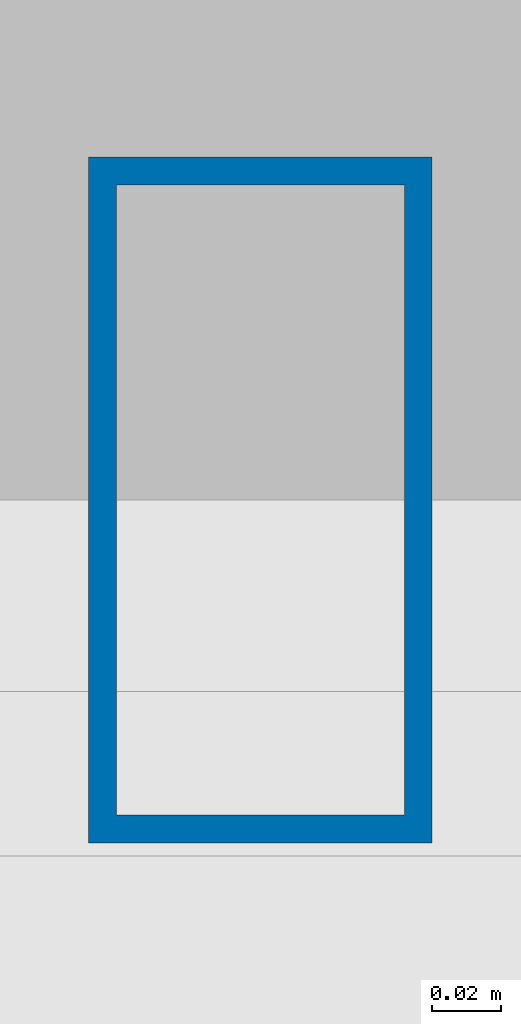
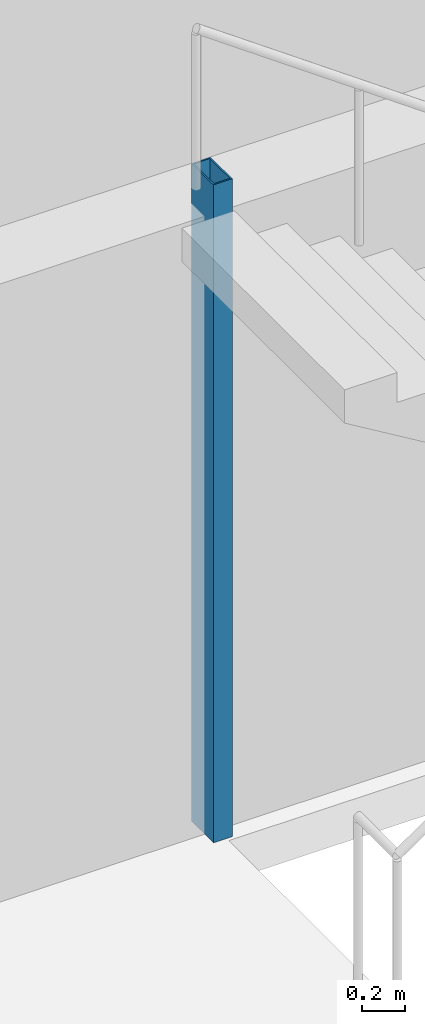
# One storey, part 2 of 17: 1 column.
"""IFC4 building model written with IfcOpenShell, lengths in metres."""

from ifc_helpers import new_model, si_unit, direction, frame, origin, origin_2d, place, context, subcontext, project, spatial, hollow_rectangle, extrude, material, material_profile, profile_set, type_object, element, save


model = new_model("IFC4")

# Units and contexts
model_context = context("Model", 3, precision=1e-05, world=origin(), true_north=direction((0.0, 1.0)))
body_context = subcontext(model_context, "Body", "Model", "MODEL_VIEW")
ifc_project = project(units=[si_unit("LENGTHUNIT", "METRE"), si_unit("AREAUNIT", "SQUARE_METRE"), si_unit("VOLUMEUNIT", "CUBIC_METRE"), si_unit("PLANEANGLEUNIT", "RADIAN"), si_unit("MASSUNIT", "GRAM", prefix="KILO")], contexts=[model_context])

# Site, building, storey
site_placement = place(None, origin())
site = spatial("IfcSite", under=ifc_project, at=site_placement, CompositionType="ELEMENT")
building_placement = place(site_placement, origin())
building = spatial("IfcBuilding", under=site, at=building_placement, Name="Menara Jurai Vektor", CompositionType="ELEMENT")
storey_placement = place(building_placement, frame((0.0, 0.0, 131.800048828125)))
storey = spatial("IfcBuildingStorey", under=building, at=storey_placement, Name="L33", CompositionType="ELEMENT", Elevation=131.800048828125)

# Column
ifc_material = material(Name="Steel S355", Category="steel")
ifc_material_profile = material_profile(ifc_material, hollow_rectangle(XDim=0.10009765625, YDim=0.199951171875, WallThickness=0.008056640625, at=origin_2d()), Name="RHS 200x100x8")
ifc_profile_set = profile_set([ifc_material_profile], Name="Steel S355")
column_type = type_object("IfcColumnType", Name="STR-COL-STAIR", PredefinedType="COLUMN", material=ifc_profile_set)
column_placement = place(storey_placement, frame((-11.1201171875, 5.419921875, 0.0), z_axis=(0.0, 0.0, 1.0), x_axis=(1.0, 0.0, 0.0)))
element("IfcColumn", 1, at=column_placement, inside=storey, type_object=column_type, Name="Stair Well Header Column ST1-P2 L33", PredefinedType="COLUMN", context=body_context, shape_type="SweptSolid", body=[
    extrude(hollow_rectangle(XDim=0.10009765625, YDim=0.199951171875, WallThickness=0.008056640625, at=origin_2d()), origin(), (0.0, 0.0, 1.0), 3.699951171875),
])

save(model, "model.ifc")
